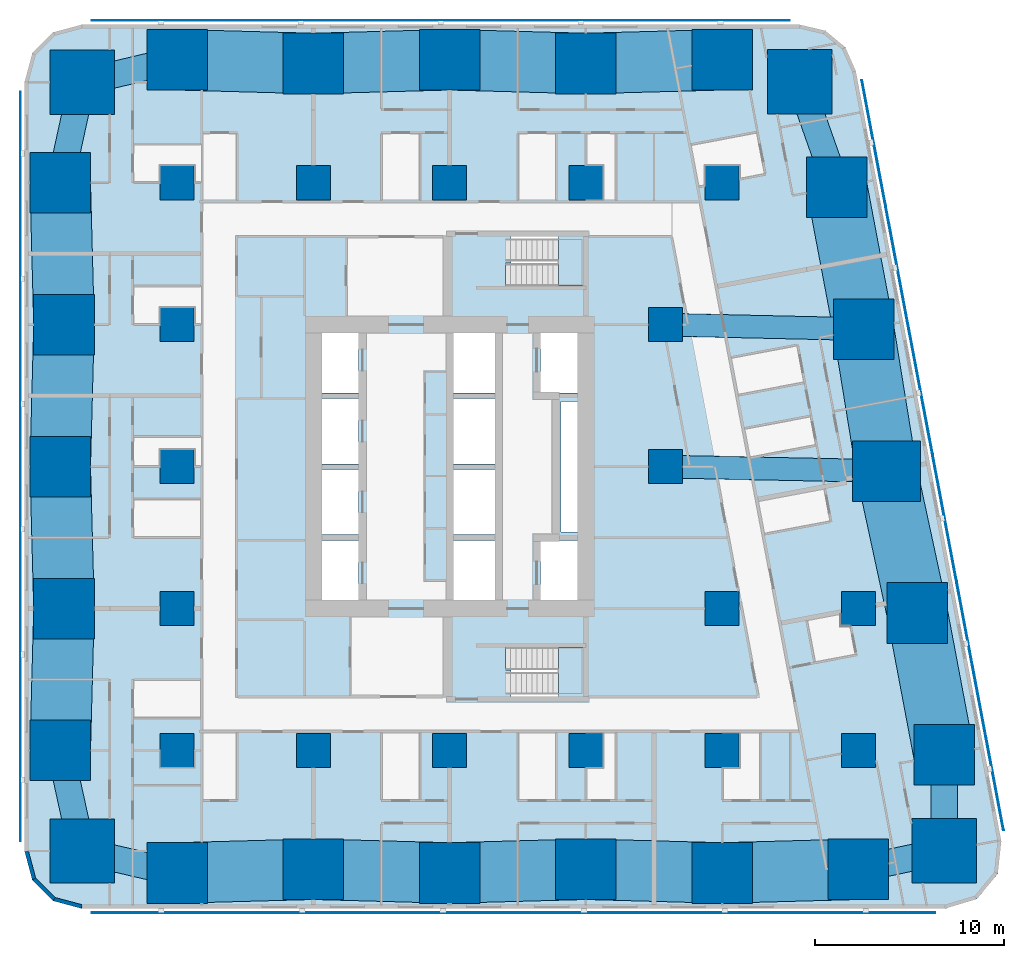
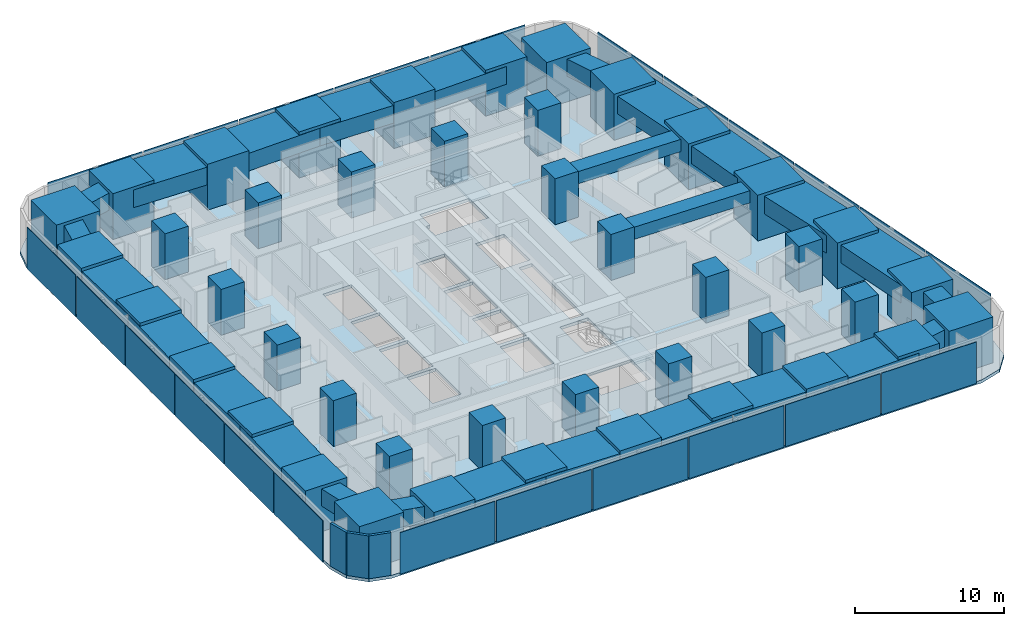
# One storey, part 1 of 17: 43 columns, 26 beams, 23 plates, 3 slabs, 3 walls, 2 elements without a shape of their own.
"""IFC4 building model written with IfcOpenShell, lengths in metres."""

from ifc_helpers import new_model, si_unit, direction, frame, frame_2d, origin, origin_2d, place, context, subcontext, project, spatial, polyline, rectangle, hollow_rectangle, outline, extrude, material, layer, layer_set, material_profile, profile_set, type_object, element, aggregate, save


model = new_model("IFC4")

# Units and contexts
model_context = context("Model", 3, precision=1e-05, world=origin(), true_north=direction((0.0, 1.0)))
body_context = subcontext(model_context, "Body", "Model", "MODEL_VIEW")
ifc_project = project(units=[si_unit("LENGTHUNIT", "METRE"), si_unit("AREAUNIT", "SQUARE_METRE"), si_unit("VOLUMEUNIT", "CUBIC_METRE"), si_unit("PLANEANGLEUNIT", "RADIAN"), si_unit("MASSUNIT", "GRAM", prefix="KILO")], contexts=[model_context])

# Site, building, storey
site_placement = place(None, origin())
site = spatial("IfcSite", under=ifc_project, at=site_placement, CompositionType="ELEMENT")
building_placement = place(site_placement, origin())
building = spatial("IfcBuilding", under=site, at=building_placement, Name="Sheger Commons Tower", CompositionType="ELEMENT")
storey_placement = place(building_placement, frame((0.0, 0.0, 27.5)))
storey = spatial("IfcBuildingStorey", under=building, at=storey_placement, Name="L06", CompositionType="ELEMENT", Elevation=27.5)

# Columns
ifc_material_1 = material(Name="Concrete C50/60", Category="concrete")
ifc_material_profile_1 = material_profile(ifc_material_1, rectangle(XDim=3.60009765625, YDim=3.199951171875, at=origin_2d()), Name="RC 3600x3200")
ifc_profile_set_1 = profile_set([ifc_material_profile_1], Name="Concrete C50/60")
column_type_1 = type_object("IfcColumnType", Name="COLUMN PIER RC 3600x3200", PredefinedType="COLUMN", material=ifc_profile_set_1)
column_placement = place(storey_placement, frame((44.697021484375, 22.262939453125, 0.0), z_axis=(0.0, 0.0, 1.0), x_axis=(1.0, 0.0, 0.0)))
element("IfcColumn", 1, at=column_placement, inside=storey, type_object=column_type_1, Name="Pier 7/D+E/D L06", PredefinedType="COLUMN", context=body_context, shape_type="SweptSolid", body=[
    extrude(rectangle(XDim=3.60009765625, YDim=3.199951171875, at=origin_2d()), origin(), (0.0, 0.0, 1.0), 3.75),
])
ifc_material_2 = material(Name="Concrete C50/60", Category="concrete")
ifc_material_profile_2 = material_profile(ifc_material_2, rectangle(XDim=1.800048828125, YDim=1.800048828125, at=origin_2d()), Name="RC 1800x1800")
ifc_profile_set_2 = profile_set([ifc_material_profile_2], Name="Concrete C50/60")
column_type_2 = type_object("IfcColumnType", Name="COLUMN RC 1800x1800", PredefinedType="COLUMN", material=ifc_profile_set_2)
for number, where, z_axis, x_axis, name in (
    (2, (7.199951171875, 7.5, 0.0), (0.0, 0.0, 1.0), (1.0, 0.0, 0.0), "Column 2/B L06"),
    (3, (14.39990234375, 7.5, 0.0), (0.0, 0.0, 1.0), (1.0, 0.0, 0.0), "Column 3/B L06"),
    (4, (21.60009765625, 7.5, 0.0), (0.0, 0.0, 1.0), (1.0, 0.0, 0.0), "Column 4/B L06"),
    (5, (28.800048828125, 7.5, 0.0), (0.0, 0.0, 1.0), (1.0, 0.0, 0.0), "Column 5/B L06"),
    (6, (36.0, 7.5, 0.0), (0.0, 0.0, 1.0), (1.0, 0.0, 0.0), "Column 6/B L06"),
    (7, (43.199951171875, 7.5, 0.0), (0.0, 0.0, 1.0), (1.0, 0.0, 0.0), "Column 7/B L06"),
    (8, (7.199951171875, 15.0, 0.0), (0.0, 0.0, 1.0), (1.0, 0.0, 0.0), "Column 2/C L06"),
    (9, (36.0, 15.0, 0.0), (0.0, 0.0, 1.0), (1.0, 0.0, 0.0), "Column 6/C L06"),
    (10, (43.199951171875, 15.0, 0.0), (0.0, 0.0, 1.0), (1.0, 0.0, 0.0), "Column 7/C L06"),
    (11, (7.199951171875, 22.5, 0.0), (0.0, 0.0, 1.0), (1.0, 0.0, 0.0), "Column 2/D L06"),
    (12, (33.0, 22.5, 0.0), (0.0, 0.0, 1.0), (1.0, 0.0, 0.0), "Column 6-3000/D L06"),
    (13, (7.199951171875, 30.0, 0.0), (0.0, 0.0, 1.0), (1.0, 0.0, 0.0), "Column 2/E L06"),
    (14, (33.0, 30.0, 0.0), (0.0, 0.0, 1.0), (1.0, 0.0, 0.0), "Column 6-3000/E L06"),
    (15, (7.199951171875, 37.5, 0.0), (0.0, 0.0, 1.0), (1.0, 0.0, 0.0), "Column 2/F L06"),
    (16, (14.39990234375, 37.5, 0.0), (0.0, 0.0, 1.0), (1.0, 0.0, 0.0), "Column 3/F L06"),
    (17, (21.60009765625, 37.5, 0.0), (0.0, 0.0, 1.0), (1.0, 0.0, 0.0), "Column 4/F L06"),
    (18, (28.800048828125, 37.5, 0.0), (0.0, 0.0, 1.0), (1.0, 0.0, 0.0), "Column 5/F L06"),
    (19, (36.0, 37.5, 0.0), (0.0, 0.0, 1.0), (1.0, 0.0, 0.0), "Column 6/F L06"),
):
    element("IfcColumn", number, at=place(storey_placement, frame(where, z_axis=z_axis, x_axis=x_axis)), inside=storey, type_object=column_type_2, Name=name, PredefinedType="COLUMN", context=body_context, shape_type="SweptSolid", body=[
        extrude(rectangle(XDim=1.800048828125, YDim=1.800048828125, at=origin_2d()), origin(), (0.0, 0.0, 1.0), 3.75),
    ])
ifc_material_3 = material(Name="Concrete C50/60", Category="concrete")
ifc_material_profile_3 = material_profile(ifc_material_3, rectangle(XDim=3.199951171875, YDim=3.199951171875, at=origin_2d()), Name="RC 3200x3200")
ifc_profile_set_3 = profile_set([ifc_material_profile_3], Name="Concrete C50/60")
column_type_3 = type_object("IfcColumnType", Name="COLUMN RC 3200x3200", PredefinedType="COLUMN", material=ifc_profile_set_3)
for number, where, z_axis, x_axis, name in (
    (20, (7.199951171875, 1.02490234375, 0.0), (0.0, 0.0, 1.0), (1.0, 0.0, 0.0), "Column 2/A L06"),
    (21, (14.39990234375, 1.22509765625, 0.0), (0.0, 0.0, 1.0), (1.0, 0.0, 0.0), "Column 3/A L06"),
    (22, (21.60009765625, 1.02490234375, 0.0), (0.0, 0.0, 1.0), (1.0, 0.0, 0.0), "Column 4/A L06"),
    (23, (28.800048828125, 1.22509765625, 0.0), (0.0, 0.0, 1.0), (1.0, 0.0, 0.0), "Column 5/A L06"),
    (24, (36.0, 1.02490234375, 0.0), (0.0, 0.0, 1.0), (1.0, 0.0, 0.0), "Column 6/A L06"),
    (25, (43.199951171875, 1.22509765625, 0.0), (0.0, 0.0, 1.0), (1.0, 0.0, 0.0), "Column 7/A L06"),
    (26, (1.02490234375, 7.5, 0.0), (0.0, 0.0, 1.0), (1.0, 0.0, 0.0), "Column 1/B L06"),
    (27, (47.72998046875, 7.262939453125, 0.0), (0.0, 0.0, 1.0), (1.0, 0.0, 0.0), "Column E/B L06"),
    (28, (1.22509765625, 15.0, 0.0), (0.0, 0.0, 1.0), (1.0, 0.0, 0.0), "Column 1/C L06"),
    (29, (46.31396484375, 14.762939453125, 0.0), (0.0, 0.0, 1.0), (1.0, 0.0, 0.0), "Column E/C L06"),
    (30, (1.02490234375, 22.5, 0.0), (0.0, 0.0, 1.0), (1.0, 0.0, 0.0), "Column 1/D L06"),
    (31, (1.22509765625, 30.0, 0.0), (0.0, 0.0, 1.0), (1.0, 0.0, 0.0), "Column 1/E L06"),
    (32, (43.47998046875, 29.762939453125, 0.0), (0.0, 0.0, 1.0), (1.0, 0.0, 0.0), "Column E/E L06"),
    (33, (1.02490234375, 37.5, 0.0), (0.0, 0.0, 1.0), (1.0, 0.0, 0.0), "Column 1/F L06"),
    (34, (42.06396484375, 37.262939453125, 0.0), (0.0, 0.0, 1.0), (1.0, 0.0, 0.0), "Column E/F L06"),
    (35, (7.199951171875, 44.0, 0.0), (0.0, 0.0, 1.0), (1.0, 0.0, 0.0), "Column 2/G L06"),
    (36, (14.39990234375, 43.800048828125, 0.0), (0.0, 0.0, 1.0), (1.0, 0.0, 0.0), "Column 3/G L06"),
    (37, (21.60009765625, 44.0, 0.0), (0.0, 0.0, 1.0), (1.0, 0.0, 0.0), "Column 4/G L06"),
    (38, (28.800048828125, 43.800048828125, 0.0), (0.0, 0.0, 1.0), (1.0, 0.0, 0.0), "Column 5/G L06"),
    (39, (36.0, 44.0, 0.0), (0.0, 0.0, 1.0), (1.0, 0.0, 0.0), "Column 6/G L06"),
):
    element("IfcColumn", number, at=place(storey_placement, frame(where, z_axis=z_axis, x_axis=x_axis)), inside=storey, type_object=column_type_3, Name=name, PredefinedType="COLUMN", context=body_context, shape_type="SweptSolid", body=[
        extrude(rectangle(XDim=3.199951171875, YDim=3.199951171875, at=origin_2d()), origin(), (0.0, 0.0, 1.0), 3.75),
    ])
ifc_material_4 = material(Name="Concrete C50/60", Category="concrete")
ifc_material_profile_4 = material_profile(ifc_material_4, rectangle(XDim=3.39990234375, YDim=3.39990234375, at=origin_2d()), Name="RC 3400x3400")
ifc_profile_set_4 = profile_set([ifc_material_profile_4], Name="Concrete C50/60")
column_type_4 = type_object("IfcColumnType", Name="COLUMN RC 3400x3400", PredefinedType="COLUMN", material=ifc_profile_set_4)
for number, where, z_axis, x_axis, name in (
    (40, (2.18603515625, 2.18603515625, 0.0), (0.0, 0.0, 1.0), (1.0, 0.0, 0.0), "Column 0.630,0.630 L06"),
    (41, (47.748046875, 2.197021484375, 0.0), (0.0, 0.0, 1.0), (1.0, 0.0, 0.0), "Column 49.461,0.778 L06"),
    (42, (2.18603515625, 42.81396484375, 0.0), (0.0, 0.0, 1.0), (1.0, 0.0, 0.0), "Column 0.630,44.370 L06"),
    (43, (40.10205078125, 42.830078125, 0.0), (0.0, 0.0, 1.0), (1.0, 0.0, 0.0), "Column 41.490,44.505 L06"),
):
    element("IfcColumn", number, at=place(storey_placement, frame(where, z_axis=z_axis, x_axis=x_axis)), inside=storey, type_object=column_type_4, Name=name, PredefinedType="COLUMN", context=body_context, shape_type="SweptSolid", body=[
        extrude(rectangle(XDim=3.39990234375, YDim=3.39990234375, at=origin_2d()), origin(), (0.0, 0.0, 1.0), 3.75),
    ])

# Beams
ifc_material_5 = material(Name="Concrete C50/60", Category="concrete")
ifc_material_profile_5 = material_profile(ifc_material_5, rectangle(XDim=1.199951171875, YDim=1.0, at=origin_2d()), Name="RC 1200x1000")
ifc_profile_set_5 = profile_set([ifc_material_profile_5], Name="Concrete C50/60")
beam_type_1 = type_object("IfcBeamType", Name="BEAM RC 1200x1000", PredefinedType="BEAM", material=ifc_profile_set_5)
beam_1_placement = place(storey_placement, frame((33.0, 22.5, 3.0), z_axis=(0.999794692776, -0.02026258368, 0.0), x_axis=(0.02026258368, 0.999794692776, 0.0)))
element("IfcBeam", 44, at=beam_1_placement, inside=storey, type_object=beam_type_1, Name="Beam 6-3000/D-7/D under L07", PredefinedType="BEAM", context=body_context, shape_type="SweptSolid", body=[
    extrude(rectangle(XDim=1.199951171875, YDim=1.0, at=origin_2d()), origin(), (0.0, 0.0, 1.0), 11.699462890625),
])
beam_2_placement = place(storey_placement, frame((33.0, 30.0, 3.0), z_axis=(0.999744258625, -0.022614538395, 0.0), x_axis=(0.022614538395, 0.999744258625, 0.0)))
element("IfcBeam", 45, at=beam_2_placement, inside=storey, type_object=beam_type_1, Name="Beam 6-3000/E-E/E under L07", PredefinedType="BEAM", context=body_context, shape_type="SweptSolid", body=[
    extrude(rectangle(XDim=1.199951171875, YDim=1.0, at=origin_2d()), origin(), (0.0, 0.0, 1.0), 10.482666015625),
])
ifc_material_6 = material(Name="Concrete C50/60", Category="concrete")
ifc_material_profile_6 = material_profile(ifc_material_6, rectangle(XDim=3.199951171875, YDim=1.449951171875, at=origin_2d()), Name="RC 3200x1450")
ifc_profile_set_6 = profile_set([ifc_material_profile_6], Name="Concrete C50/60")
beam_type_2 = type_object("IfcBeamType", Name="SPANDREL RC 3200x1450", PredefinedType="SPANDREL", material=ifc_profile_set_6)
beam_3_placement = place(storey_placement, frame((7.199951171875, 1.02490234375, 2.77490234375), z_axis=(0.9996136624, 0.027794350926, 0.0), x_axis=(-0.027794350926, 0.9996136624, 0.0)))
element("IfcBeam", 46, at=beam_3_placement, inside=storey, type_object=beam_type_2, Name="Beam 2/A-3/A under L07", PredefinedType="SPANDREL", context=body_context, shape_type="SweptSolid", body=[
    extrude(rectangle(XDim=3.199951171875, YDim=1.449951171875, at=origin_2d()), origin(), (0.0, 0.0, 1.0), 7.20263671875),
])
beam_4_placement = place(storey_placement, frame((14.39990234375, 1.22509765625, 2.77490234375), z_axis=(0.999613688584, -0.027793409217, 0.0), x_axis=(0.027793409217, 0.999613688584, 0.0)))
element("IfcBeam", 47, at=beam_4_placement, inside=storey, type_object=beam_type_2, Name="Beam 3/A-4/A under L07", PredefinedType="SPANDREL", context=body_context, shape_type="SweptSolid", body=[
    extrude(rectangle(XDim=3.199951171875, YDim=1.449951171875, at=origin_2d()), origin(), (0.0, 0.0, 1.0), 7.202880859375),
])
for number, where, z_axis, x_axis, name in (
    (48, (21.60009765625, 1.02490234375, 2.77490234375), (0.9996136624, 0.027794350926, 0.0), (-0.027794350926, 0.9996136624, 0.0), "Beam 4/A-5/A under L07"),
    (49, (28.800048828125, 1.22509765625, 2.77490234375), (0.9996136624, -0.027794350926, 0.0), (0.027794350926, 0.9996136624, 0.0), "Beam 5/A-6/A under L07"),
    (50, (36.0, 1.02490234375, 2.77490234375), (0.9996136624, 0.027794350926, 0.0), (-0.027794350926, 0.9996136624, 0.0), "Beam 6/A-7/A under L07"),
):
    element("IfcBeam", number, at=place(storey_placement, frame(where, z_axis=z_axis, x_axis=x_axis)), inside=storey, type_object=beam_type_2, Name=name, PredefinedType="SPANDREL", context=body_context, shape_type="SweptSolid", body=[
        extrude(rectangle(XDim=3.199951171875, YDim=1.449951171875, at=origin_2d()), origin(), (0.0, 0.0, 1.0), 7.20263671875),
    ])
beam_5_placement = place(storey_placement, frame((47.72998046875, 7.262939453125, 2.77490234375), z_axis=(-0.18552441405, 0.982639655108, 0.0), x_axis=(-0.982639655108, -0.18552441405, 0.0)))
element("IfcBeam", 51, at=beam_5_placement, inside=storey, type_object=beam_type_2, Name="Beam E/B-E/C under L07", PredefinedType="SPANDREL", context=body_context, shape_type="SweptSolid", body=[
    extrude(rectangle(XDim=3.199951171875, YDim=1.449951171875, at=origin_2d()), origin(), (0.0, 0.0, 1.0), 7.632568359375),
])
beam_6_placement = place(storey_placement, frame((46.31396484375, 14.762939453125, 2.77490234375), z_axis=(-0.210750229323, 0.977539943348, 0.0), x_axis=(-0.977539943348, -0.210750229323, 0.0)))
element("IfcBeam", 52, at=beam_6_placement, inside=storey, type_object=beam_type_2, Name="Beam E/C-E/D under L07", PredefinedType="SPANDREL", context=body_context, shape_type="SweptSolid", body=[
    extrude(rectangle(XDim=3.199951171875, YDim=1.449951171875, at=origin_2d()), origin(), (0.0, 0.0, 1.0), 7.67236328125),
])
beam_7_placement = place(storey_placement, frame((44.697021484375, 22.262939453125, 2.77490234375), z_axis=(-0.160176929512, 0.987088319884, 0.0), x_axis=(-0.987088319884, -0.160176929512, 0.0)))
element("IfcBeam", 53, at=beam_7_placement, inside=storey, type_object=beam_type_2, Name="Beam E/D-E/E under L07", PredefinedType="SPANDREL", context=body_context, shape_type="SweptSolid", body=[
    extrude(rectangle(XDim=3.199951171875, YDim=1.449951171875, at=origin_2d()), origin(), (0.0, 0.0, 1.0), 7.59814453125),
])
beam_8_placement = place(storey_placement, frame((43.47998046875, 29.762939453125, 2.77490234375), z_axis=(-0.18552441405, 0.982639655108, 0.0), x_axis=(-0.982639655108, -0.18552441405, 0.0)))
element("IfcBeam", 54, at=beam_8_placement, inside=storey, type_object=beam_type_2, Name="Beam E/E-E/F under L07", PredefinedType="SPANDREL", context=body_context, shape_type="SweptSolid", body=[
    extrude(rectangle(XDim=3.199951171875, YDim=1.449951171875, at=origin_2d()), origin(), (0.0, 0.0, 1.0), 7.632568359375),
])
for number, where, z_axis, x_axis, name in (
    (55, (36.0, 44.0, 2.77490234375), (-0.999614603568, -0.027760481514, 0.0), (0.027760481514, -0.999614603568, 0.0), "Beam 6/G-5/G under L07"),
    (56, (28.800048828125, 43.800048828125, 2.77490234375), (-0.999614603568, 0.027760481514, 0.0), (-0.027760481514, -0.999614603568, 0.0), "Beam 5/G-4/G under L07"),
):
    element("IfcBeam", number, at=place(storey_placement, frame(where, z_axis=z_axis, x_axis=x_axis)), inside=storey, type_object=beam_type_2, Name=name, PredefinedType="SPANDREL", context=body_context, shape_type="SweptSolid", body=[
        extrude(rectangle(XDim=3.199951171875, YDim=1.449951171875, at=origin_2d()), origin(), (0.0, 0.0, 1.0), 7.20263671875),
    ])
beam_9_placement = place(storey_placement, frame((21.60009765625, 44.0, 2.77490234375), z_axis=(-0.999614629688, -0.027759540951, 0.0), x_axis=(0.027759540951, -0.999614629688, 0.0)))
element("IfcBeam", 57, at=beam_9_placement, inside=storey, type_object=beam_type_2, Name="Beam 4/G-3/G under L07", PredefinedType="SPANDREL", context=body_context, shape_type="SweptSolid", body=[
    extrude(rectangle(XDim=3.199951171875, YDim=1.449951171875, at=origin_2d()), origin(), (0.0, 0.0, 1.0), 7.202880859375),
])
beam_10_placement = place(storey_placement, frame((14.39990234375, 43.800048828125, 2.77490234375), z_axis=(-0.999614603568, 0.027760481514, 0.0), x_axis=(-0.027760481514, -0.999614603568, 0.0)))
element("IfcBeam", 58, at=beam_10_placement, inside=storey, type_object=beam_type_2, Name="Beam 3/G-2/G under L07", PredefinedType="SPANDREL", context=body_context, shape_type="SweptSolid", body=[
    extrude(rectangle(XDim=3.199951171875, YDim=1.449951171875, at=origin_2d()), origin(), (0.0, 0.0, 1.0), 7.20263671875),
])
for number, where, z_axis, x_axis, name in (
    (59, (1.02490234375, 37.5, 2.77490234375), (0.026683204125, -0.999643939919, 0.0), (0.999643939919, 0.026683204125, 0.0), "Beam 1/F-1/E under L07"),
    (60, (1.22509765625, 30.0, 2.77490234375), (-0.026683204125, -0.999643939919, 0.0), (0.999643939919, -0.026683204125, 0.0), "Beam 1/E-1/D under L07"),
    (61, (1.02490234375, 22.5, 2.77490234375), (0.026683204125, -0.999643939919, 0.0), (0.999643939919, 0.026683204125, 0.0), "Beam 1/D-1/C under L07"),
    (62, (1.22509765625, 15.0, 2.77490234375), (-0.026683204125, -0.999643939919, 0.0), (0.999643939919, -0.026683204125, 0.0), "Beam 1/C-1/B under L07"),
):
    element("IfcBeam", number, at=place(storey_placement, frame(where, z_axis=z_axis, x_axis=x_axis)), inside=storey, type_object=beam_type_2, Name=name, PredefinedType="SPANDREL", context=body_context, shape_type="SweptSolid", body=[
        extrude(rectangle(XDim=3.199951171875, YDim=1.449951171875, at=origin_2d()), origin(), (0.0, 0.0, 1.0), 7.502685546875),
    ])
ifc_material_7 = material(Name="Steel S355", Category="steel")
ifc_material_profile_7 = material_profile(ifc_material_7, hollow_rectangle(XDim=1.39990234375, YDim=1.39990234375, WallThickness=0.10009765625, at=origin_2d()), Name="BOX 1400x1400x100")
ifc_profile_set_7 = profile_set([ifc_material_profile_7], Name="Steel S355")
beam_type_3 = type_object("IfcBeamType", Name="STEEL SPANDREL BOX 1400x1400x100", PredefinedType="SPANDREL", material=ifc_profile_set_7)
beam_11_placement = place(storey_placement, frame((2.18603515625, 2.18603515625, 2.800048828125), z_axis=(0.974217413499, -0.225611239159, 0.0), x_axis=(0.225611239159, 0.974217413499, 0.0)))
element("IfcBeam", 63, at=beam_11_placement, inside=storey, type_object=beam_type_3, Name="Beam 0.630,0.630-2/A under L07", PredefinedType="SPANDREL", context=body_context, shape_type="SweptSolid", body=[
    extrude(hollow_rectangle(XDim=1.39990234375, YDim=1.39990234375, WallThickness=0.10009765625, at=origin_2d()), origin(), (0.0, 0.0, 1.0), 5.146728515625),
])
beam_12_placement = place(storey_placement, frame((43.199951171875, 1.22509765625, 2.800048828125), z_axis=(0.977919796671, 0.208980552394, 0.0), x_axis=(-0.208980552394, 0.977919796671, 0.0)))
element("IfcBeam", 64, at=beam_12_placement, inside=storey, type_object=beam_type_3, Name="Beam 7/A-49.461,0.778 under L07", PredefinedType="SPANDREL", context=body_context, shape_type="SweptSolid", body=[
    extrude(hollow_rectangle(XDim=1.39990234375, YDim=1.39990234375, WallThickness=0.10009765625, at=origin_2d()), origin(), (0.0, 0.0, 1.0), 4.65087890625),
])
beam_13_placement = place(storey_placement, frame((47.748046875, 2.197021484375, 2.800048828125), z_axis=(-0.003566242382, 0.999993640937, 0.0), x_axis=(-0.999993640937, -0.003566242382, 0.0)))
element("IfcBeam", 65, at=beam_13_placement, inside=storey, type_object=beam_type_3, Name="Beam 49.461,0.778-E/B under L07", PredefinedType="SPANDREL", context=body_context, shape_type="SweptSolid", body=[
    extrude(hollow_rectangle(XDim=1.39990234375, YDim=1.39990234375, WallThickness=0.10009765625, at=origin_2d()), origin(), (0.0, 0.0, 1.0), 5.06591796875),
])
beam_14_placement = place(storey_placement, frame((42.06396484375, 37.262939453125, 2.800048828125), z_axis=(-0.332374403357, 0.943147526102, 0.0), x_axis=(-0.943147526102, -0.332374403357, 0.0)))
element("IfcBeam", 66, at=beam_14_placement, inside=storey, type_object=beam_type_3, Name="Beam E/F-41.490,44.505 under L07", PredefinedType="SPANDREL", context=body_context, shape_type="SweptSolid", body=[
    extrude(hollow_rectangle(XDim=1.39990234375, YDim=1.39990234375, WallThickness=0.10009765625, at=origin_2d()), origin(), (0.0, 0.0, 1.0), 5.90283203125),
])
beam_15_placement = place(storey_placement, frame((7.199951171875, 44.0, 2.800048828125), z_axis=(-0.97314428949, -0.230195985701, 0.0), x_axis=(0.230195985701, -0.97314428949, 0.0)))
element("IfcBeam", 67, at=beam_15_placement, inside=storey, type_object=beam_type_3, Name="Beam 2/G-0.630,44.370 under L07", PredefinedType="SPANDREL", context=body_context, shape_type="SweptSolid", body=[
    extrude(hollow_rectangle(XDim=1.39990234375, YDim=1.39990234375, WallThickness=0.10009765625, at=origin_2d()), origin(), (0.0, 0.0, 1.0), 5.15234375),
])
for number, where, z_axis, x_axis, name in (
    (68, (2.18603515625, 42.81396484375, 2.800048828125), (-0.213469314652, -0.976949769283, 0.0), (0.976949769283, -0.213469314652, 0.0), "Beam 0.630,44.370-1/F under L07"),
    (69, (1.02490234375, 7.5, 2.800048828125), (0.213469314652, -0.976949769283, 0.0), (0.976949769283, 0.213469314652, 0.0), "Beam 1/B-0.630,0.630 under L07"),
):
    element("IfcBeam", number, at=place(storey_placement, frame(where, z_axis=z_axis, x_axis=x_axis)), inside=storey, type_object=beam_type_3, Name=name, PredefinedType="SPANDREL", context=body_context, shape_type="SweptSolid", body=[
        extrude(hollow_rectangle(XDim=1.39990234375, YDim=1.39990234375, WallThickness=0.10009765625, at=origin_2d()), origin(), (0.0, 0.0, 1.0), 5.439453125),
    ])

# Slab
ifc_material_8 = material(Name="Concrete C35/45", Category="concrete")
ifc_layer_1 = layer(ifc_material_8, 0.25)
ifc_layer_set_1 = layer_set([ifc_layer_1], Name="SLAB FLOOR 250")
slab_type_1 = type_object("IfcSlabType", Name="SLAB FLOOR 250", PredefinedType="FLOOR", material=ifc_layer_set_1)
slab_1_placement = place(storey_placement, frame((0.0, 0.0, -0.25)))
element("IfcSlab", 70, at=slab_1_placement, inside=storey, type_object=slab_type_1, Name="L06 floor slab", PredefinedType="FLOOR", context=body_context, shape_type="SweptSolid", body=[
    extrude(outline(polyline([(-0.85009765625, 2.14990234375), (-0.447998046875, 0.64990234375), (0.64990234375, -0.447998046875), (2.14990234375, -0.85009765625), (47.805908203125, -0.85009765625), (49.465087890625, -0.35009765625), (50.570068359375, 0.98388671875), (50.75390625, 2.70703125), (43.06591796875, 43.406982421875), (42.509033203125, 44.660888671875), (41.452880859375, 45.535888671875), (40.117919921875, 45.85009765625), (2.14990234375, 45.85009765625), (0.64990234375, 45.447998046875), (-0.447998046875, 44.35009765625), (-0.85009765625, 42.85009765625), (-0.85009765625, 2.14990234375)]), holes=[polyline([(24.85009765625, 10.35009765625), (28.64990234375, 10.35009765625), (28.64990234375, 12.949951171875), (24.551025390625, 12.949951171875), (24.551025390625, 11.75), (24.85009765625, 11.75), (24.85009765625, 10.35009765625)]), polyline([(24.551025390625, 32.050048828125), (28.64990234375, 32.050048828125), (28.64990234375, 34.64990234375), (24.85009765625, 34.64990234375), (24.85009765625, 33.25), (24.551025390625, 33.25), (24.551025390625, 32.050048828125)]), polyline([(26.39990234375, 15.14990234375), (28.60009765625, 15.14990234375), (28.60009765625, 18.60009765625), (26.39990234375, 18.60009765625), (26.39990234375, 15.14990234375)]), polyline([(26.39990234375, 26.39990234375), (28.60009765625, 26.39990234375), (28.60009765625, 29.85009765625), (26.39990234375, 29.85009765625), (26.39990234375, 26.39990234375)]), polyline([(14.60009765625, 15.14990234375), (16.800048828125, 15.14990234375), (16.800048828125, 18.60009765625), (14.60009765625, 18.60009765625), (14.60009765625, 15.14990234375)]), polyline([(14.60009765625, 18.89990234375), (16.800048828125, 18.89990234375), (16.800048828125, 22.35009765625), (14.60009765625, 22.35009765625), (14.60009765625, 18.89990234375)]), polyline([(14.60009765625, 22.64990234375), (16.800048828125, 22.64990234375), (16.800048828125, 26.10009765625), (14.60009765625, 26.10009765625), (14.60009765625, 22.64990234375)]), polyline([(14.60009765625, 26.39990234375), (16.800048828125, 26.39990234375), (16.800048828125, 29.85009765625), (14.60009765625, 29.85009765625), (14.60009765625, 26.39990234375)]), polyline([(21.800048828125, 15.14990234375), (24.0, 15.14990234375), (24.0, 18.60009765625), (21.800048828125, 18.60009765625), (21.800048828125, 15.14990234375)]), polyline([(21.800048828125, 18.89990234375), (24.0, 18.89990234375), (24.0, 22.35009765625), (21.800048828125, 22.35009765625), (21.800048828125, 18.89990234375)]), polyline([(21.800048828125, 22.64990234375), (24.0, 22.64990234375), (24.0, 26.10009765625), (21.800048828125, 26.10009765625), (21.800048828125, 22.64990234375)]), polyline([(21.800048828125, 26.39990234375), (24.0, 26.39990234375), (24.0, 29.85009765625), (21.800048828125, 29.85009765625), (21.800048828125, 26.39990234375)]), polyline([(27.5, 19.050048828125), (28.5, 19.050048828125), (28.5, 25.949951171875), (27.5, 25.949951171875), (27.5, 19.050048828125)])]), origin(), (0.0, 0.0, 1.0), 0.25),
])

# Plates
ifc_material_9 = material(Name="Perforated black anodised aluminium screen", Category="aluminium")
ifc_layer_2 = layer(ifc_material_9, 0.050048828125)
ifc_layer_set_2 = layer_set([ifc_layer_2], Name="SOLAR SCREEN SCREEN-1")
plate_type = type_object("IfcPlateType", Name="SOLAR SCREEN SCREEN-1", PredefinedType="USERDEFINED", material=ifc_layer_set_2)
for number, where, z_axis, x_axis, name in (
    (71, (6.37109375, -1.074951171875, 0.050048828125), (0.0, 0.0, 1.0), (1.0, 0.0, 0.0), "Perforated solar screen panel"),
    (72, (13.81396484375, -1.074951171875, 0.050048828125), (0.0, 0.0, 1.0), (1.0, 0.0, 0.0), "Perforated solar screen panel"),
    (73, (21.257080078125, -1.074951171875, 0.050048828125), (0.0, 0.0, 1.0), (1.0, 0.0, 0.0), "Perforated solar screen panel"),
    (74, (28.698974609375, -1.074951171875, 0.050048828125), (0.0, 0.0, 1.0), (1.0, 0.0, 0.0), "Perforated solar screen panel"),
    (75, (36.14208984375, -1.074951171875, 0.050048828125), (0.0, 0.0, 1.0), (1.0, 0.0, 0.0), "Perforated solar screen panel"),
    (76, (43.5849609375, -1.074951171875, 0.050048828125), (0.0, 0.0, 1.0), (1.0, 0.0, 0.0), "Perforated solar screen panel"),
):
    element("IfcPlate", number, at=place(storey_placement, frame(where, z_axis=z_axis, x_axis=x_axis)), inside=storey, type_object=plate_type, Name=name, ObjectType="SCREEN", PredefinedType="USERDEFINED", context=body_context, shape_type="SweptSolid", body=[
        extrude(rectangle(XDim=7.343017578125, YDim=0.050048828125, at=origin_2d()), origin(), (0.0, 0.0, 1.0), 3.39990234375),
    ])
for number, where, z_axis, x_axis, name in (
    (77, (50.257080078125, 6.550048828125, 0.050048828125), (0.0, 0.0, 1.0), (-0.185615165645, 0.982622516678, 0.0), "Perforated solar screen panel"),
    (78, (49.007080078125, 13.1689453125, 0.050048828125), (0.0, 0.0, 1.0), (-0.185615165645, 0.982622516678, 0.0), "Perforated solar screen panel"),
    (79, (47.756103515625, 19.7890625, 0.050048828125), (0.0, 0.0, 1.0), (-0.185615165645, 0.982622516678, 0.0), "Perforated solar screen panel"),
    (80, (46.506103515625, 26.408935546875, 0.050048828125), (0.0, 0.0, 1.0), (-0.185615165645, 0.982622516678, 0.0), "Perforated solar screen panel"),
    (81, (45.2548828125, 33.028076171875, 0.050048828125), (0.0, 0.0, 1.0), (-0.185615165645, 0.982622516678, 0.0), "Perforated solar screen panel"),
    (82, (44.0048828125, 39.64794921875, 0.050048828125), (0.0, 0.0, 1.0), (-0.185615165645, 0.982622516678, 0.0), "Perforated solar screen panel"),
):
    element("IfcPlate", number, at=place(storey_placement, frame(where, z_axis=z_axis, x_axis=x_axis)), inside=storey, type_object=plate_type, Name=name, ObjectType="SCREEN", PredefinedType="USERDEFINED", context=body_context, shape_type="SweptSolid", body=[
        extrude(rectangle(XDim=6.636962890625, YDim=0.050048828125, at=origin_2d()), origin(), (0.0, 0.0, 1.0), 3.39990234375),
    ])
for number, where, z_axis, x_axis, name in (
    (83, (35.9208984375, 46.074951171875, 0.050048828125), (0.0, 0.0, 1.0), (-1.0, 0.0, 0.0), "Perforated solar screen panel"),
    (84, (28.528076171875, 46.074951171875, 0.050048828125), (0.0, 0.0, 1.0), (-1.0, 0.0, 0.0), "Perforated solar screen panel"),
    (85, (21.134033203125, 46.074951171875, 0.050048828125), (0.0, 0.0, 1.0), (-1.0, 0.0, 0.0), "Perforated solar screen panel"),
    (86, (13.739990234375, 46.074951171875, 0.050048828125), (0.0, 0.0, 1.0), (-1.0, 0.0, 0.0), "Perforated solar screen panel"),
    (87, (6.346923828125, 46.074951171875, 0.050048828125), (0.0, 0.0, 1.0), (-1.0, 0.0, 0.0), "Perforated solar screen panel"),
):
    element("IfcPlate", number, at=place(storey_placement, frame(where, z_axis=z_axis, x_axis=x_axis)), inside=storey, type_object=plate_type, Name=name, ObjectType="SCREEN", PredefinedType="USERDEFINED", context=body_context, shape_type="SweptSolid", body=[
        extrude(rectangle(XDim=7.2939453125, YDim=0.050048828125, at=origin_2d()), origin(), (0.0, 0.0, 1.0), 3.39990234375),
    ])
for number, where, z_axis, x_axis, name in (
    (88, (-1.074951171875, 39.0419921875, 0.050048828125), (0.0, 0.0, 1.0), (0.0, -1.0, 0.0), "Perforated solar screen panel"),
    (89, (-1.074951171875, 32.425048828125, 0.050048828125), (0.0, 0.0, 1.0), (0.0, -1.0, 0.0), "Perforated solar screen panel"),
    (90, (-1.074951171875, 25.80810546875, 0.050048828125), (0.0, 0.0, 1.0), (0.0, -1.0, 0.0), "Perforated solar screen panel"),
    (91, (-1.074951171875, 19.19189453125, 0.050048828125), (0.0, 0.0, 1.0), (0.0, -1.0, 0.0), "Perforated solar screen panel"),
    (92, (-1.074951171875, 12.574951171875, 0.050048828125), (0.0, 0.0, 1.0), (0.0, -1.0, 0.0), "Perforated solar screen panel"),
    (93, (-1.074951171875, 5.9580078125, 0.050048828125), (0.0, 0.0, 1.0), (0.0, -1.0, 0.0), "Perforated solar screen panel"),
):
    element("IfcPlate", number, at=place(storey_placement, frame(where, z_axis=z_axis, x_axis=x_axis)), inside=storey, type_object=plate_type, Name=name, ObjectType="SCREEN", PredefinedType="USERDEFINED", context=body_context, shape_type="SweptSolid", body=[
        extrude(rectangle(XDim=6.51708984375, YDim=0.050048828125, at=origin_2d()), origin(), (0.0, 0.0, 1.0), 3.39990234375),
    ])

# Stair, slab
ifc_material_10 = material(Name="Concrete C35/45", Category="concrete")
stair_type = type_object("IfcStairType", Name="HALF-TURN STAIR 1200 RISE 3750", PredefinedType="HALF_TURN_STAIR", material=ifc_material_10)
stair_1_placement = place(storey_placement, origin())
stair_1 = element("IfcStair", 94, at=stair_1_placement, inside=storey, type_object=stair_type, Name="Stair S1 L06", PredefinedType="HALF_TURN_STAIR")
ifc_material_11 = material(Name="Concrete C35/45", Category="concrete")
ifc_layer_3 = layer(ifc_material_11, 0.199951171875)
ifc_layer_set_3 = layer_set([ifc_layer_3], Name="STAIR LANDING 200")
slab_type_2 = type_object("IfcSlabType", Name="STAIR LANDING 200", PredefinedType="LANDING", material=ifc_layer_set_3)
slab_2_placement = place(storey_placement, frame((0.0, 0.0, 1.675048828125)))
slab_2 = element("IfcSlab", 95, at=slab_2_placement, type_object=slab_type_2, Name="S1 landing 1", PredefinedType="LANDING", context=body_context, shape_type="SweptSolid", body=[
    extrude(outline(polyline([(27.35009765625, 10.199951171875), (28.800048828125, 10.199951171875), (28.800048828125, 12.949951171875), (27.35009765625, 12.949951171875), (27.35009765625, 10.199951171875)])), origin(), (0.0, 0.0, 1.0), 0.199951171875),
])
aggregate(stair_1, [slab_2])

stair_2_placement = place(storey_placement, origin())
stair_2 = element("IfcStair", 96, at=stair_2_placement, inside=storey, type_object=stair_type, Name="Stair S2 L06", PredefinedType="HALF_TURN_STAIR")
slab_3_placement = place(storey_placement, frame((0.0, 0.0, 1.675048828125)))
slab_3 = element("IfcSlab", 97, at=slab_3_placement, type_object=slab_type_2, Name="S2 landing 1", PredefinedType="LANDING", context=body_context, shape_type="SweptSolid", body=[
    extrude(outline(polyline([(27.35009765625, 32.050048828125), (28.800048828125, 32.050048828125), (28.800048828125, 34.800048828125), (27.35009765625, 34.800048828125), (27.35009765625, 32.050048828125)])), origin(), (0.0, 0.0, 1.0), 0.199951171875),
])
aggregate(stair_2, [slab_3])

# Walls
ifc_material_12 = material(Name="Rendered concrete block masonry, dark grey", Category="masonry")
ifc_layer_4 = layer(ifc_material_12, 0.199951171875)
ifc_layer_set_4 = layer_set([ifc_layer_4], Name="FACADE WALL 200")
wall_type = type_object("IfcWallType", Name="FACADE WALL 200", PredefinedType="SOLIDWALL", material=ifc_layer_set_4)
wall_1_placement = place(storey_placement, frame((-0.75, 2.1630859375, 0.0), z_axis=(0.0, 0.0, 1.0), x_axis=(0.259168954497, -0.965832000415, 0.0)))
element("IfcWall", 98, at=wall_1_placement, inside=storey, type_object=wall_type, Name="Facade wall L06", PredefinedType="SOLIDWALL", context=body_context, shape_type="SweptSolid", body=[
    extrude(rectangle(XDim=1.512939453125, YDim=0.199951171875, at=frame_2d((0.75634765625, 0.0))), origin(), (0.0, 0.0, 1.0), 3.5),
])
wall_2_placement = place(storey_placement, frame((-0.35791015625, 0.701904296875, 0.0), z_axis=(0.0, 0.0, 1.0), x_axis=(0.707106781187, -0.707106781187, 0.0)))
element("IfcWall", 99, at=wall_2_placement, inside=storey, type_object=wall_type, Name="Facade wall L06", PredefinedType="SOLIDWALL", context=body_context, shape_type="SweptSolid", body=[
    extrude(rectangle(XDim=1.498779296875, YDim=0.199951171875, at=frame_2d((0.74951171875, 0.0))), origin(), (0.0, 0.0, 1.0), 3.5),
])
wall_3_placement = place(storey_placement, frame((0.701904296875, -0.35791015625, 0.0), z_axis=(0.0, 0.0, 1.0), x_axis=(0.965832000415, -0.259168954497, 0.0)))
element("IfcWall", 100, at=wall_3_placement, inside=storey, type_object=wall_type, Name="Facade wall L06", PredefinedType="SOLIDWALL", context=body_context, shape_type="SweptSolid", body=[
    extrude(rectangle(XDim=1.512939453125, YDim=0.199951171875, at=frame_2d((0.75634765625, 0.0))), origin(), (0.0, 0.0, 1.0), 3.5),
])

save(model, "model.ifc")
